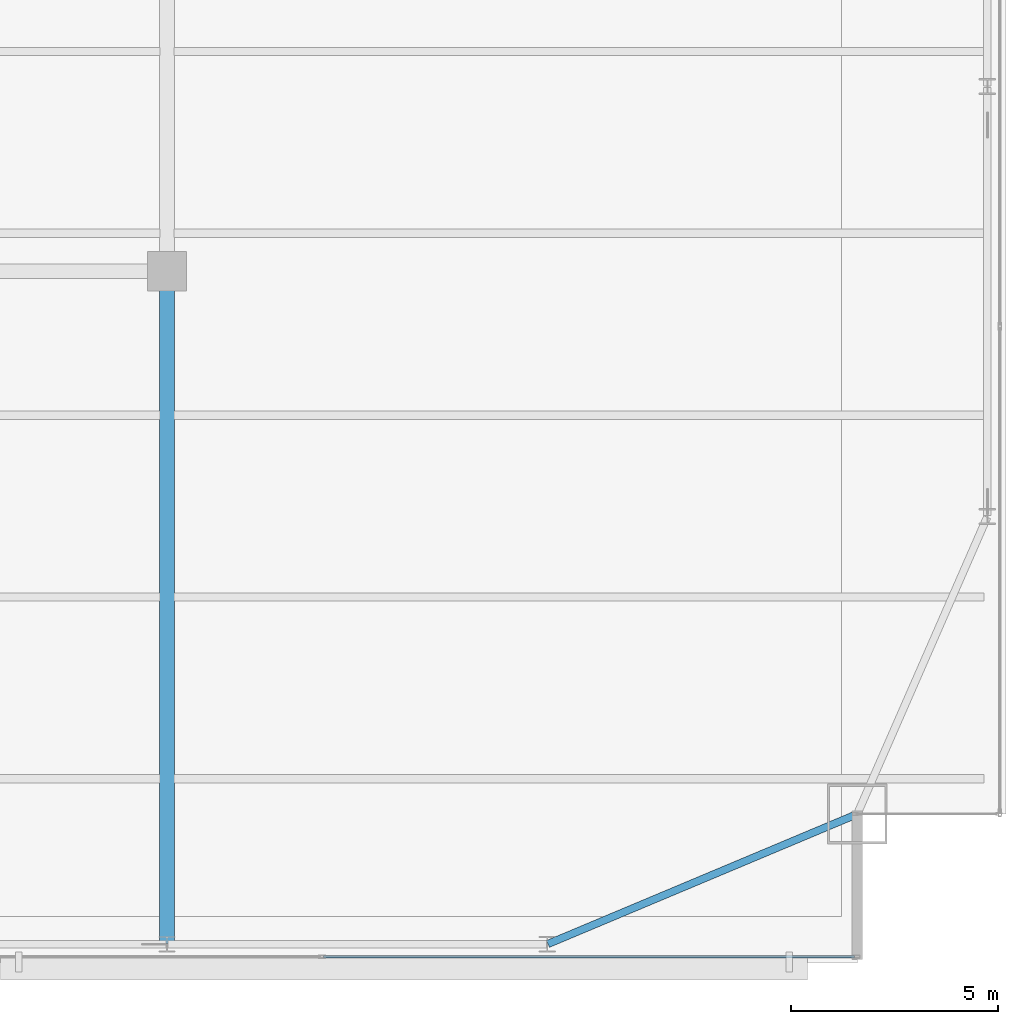
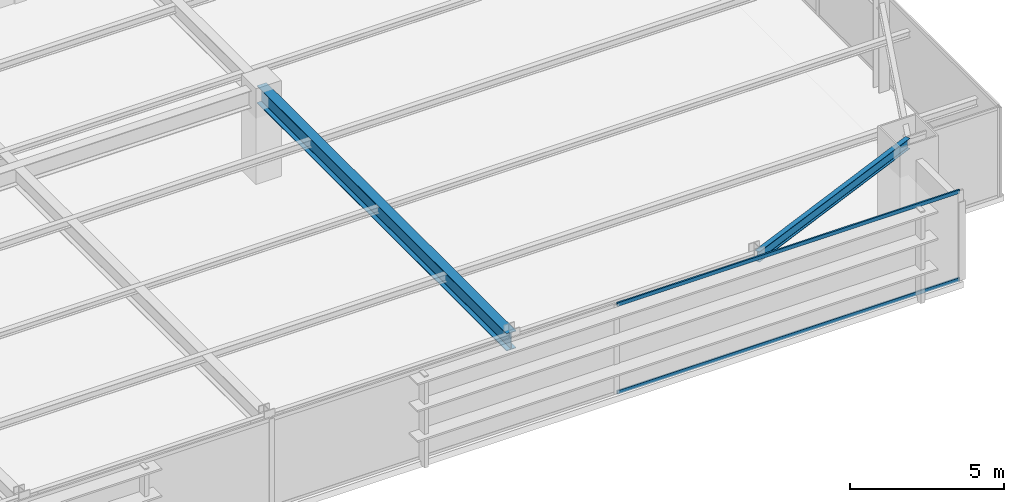
# One storey, part 13 of 32: 2 beams, 2 members, 1 element without a shape of its own.
"""IFC4 building model written with IfcOpenShell, lengths in metres."""

import ifcopenshell
import ifcopenshell.guid

model = None  # the IFC model being written
_history = None  # IfcOwnerHistory: only IFC2X3 demands one
_inside = {}  # id of a spatial element -> (the spatial element, [elements in it])
_under = {}  # id of a project, library or spatial element -> (it, [spatial elements below it])
_declared = {}  # id of a project -> (the project, [libraries it declares])
_typed = {}  # id of a type object -> (the type object, [elements of that type])
_made_of = {}  # id of a material, layer set ... -> (it, [elements and type objects made of it])


def new_model(schema):
    """Start an empty IFC model of exactly this schema.

    Asked for "IFC4X3", IfcOpenShell would pick the latest addendum, in which some entities
    have other attributes; the version numbers below select the first issue.
    IFC2X3 requires an IfcOwnerHistory on every rooted entity: one is made here for all.
    """
    global model, _history
    if schema == "IFC4X3":
        model = ifcopenshell.file(schema_version=(4, 3, 0, 0))
    else:
        model = ifcopenshell.file(schema=schema)
    _inside.clear()
    _under.clear()
    _declared.clear()
    _typed.clear()
    _made_of.clear()
    _history = None
    if model.schema == "IFC2X3":
        org = make("IfcOrganization", Name="unknown")
        user = make(
            "IfcPersonAndOrganization",
            ThePerson=make("IfcPerson", FamilyName="unknown"),
            TheOrganization=org,
        )
        app = make(
            "IfcApplication",
            ApplicationDeveloper=org,
            Version="unknown",
            ApplicationFullName="unknown",
            ApplicationIdentifier="unknown",
        )
        _history = make(
            "IfcOwnerHistory",
            OwningUser=user,
            OwningApplication=app,
            ChangeAction="ADDED",
            CreationDate=0,
        )
    return model


def make(cls, **values):
    """One entity of the class cls with the attributes given. An attribute that is None is left unset."""
    return model.create_entity(
        cls, **{name: value for name, value in values.items() if value is not None}
    )


def rooted(cls, **values):
    """An entity with a GlobalId (a new one), such as an element, a storey or a relation."""
    return make(cls, GlobalId=ifcopenshell.guid.new(), OwnerHistory=_history, **values)


def si_unit(unit_type, name, prefix=None):
    """IfcSIUnit, for example si_unit("LENGTHUNIT", "METRE", prefix="MILLI")."""
    return make("IfcSIUnit", UnitType=unit_type, Prefix=prefix, Name=name)


def assignment(units):
    """IfcUnitAssignment: the units of a project."""
    return None if units is None else make("IfcUnitAssignment", Units=units)


def point(xyz):
    """IfcCartesianPoint."""
    return None if xyz is None else make("IfcCartesianPoint", Coordinates=xyz)


def direction(xyz):
    """IfcDirection."""
    return None if xyz is None else make("IfcDirection", DirectionRatios=xyz)


def frame(location, z_axis=None, x_axis=None):
    """IfcAxis2Placement3D, a coordinate frame: its origin and axes. An axis left out is left unset."""
    return make(
        "IfcAxis2Placement3D",
        Location=point(location),
        Axis=direction(z_axis),
        RefDirection=direction(x_axis),
    )


def frame_2d(location, x_axis=None):
    """IfcAxis2Placement2D, a coordinate frame in the plane: its origin and x axis."""
    return make(
        "IfcAxis2Placement2D", Location=point(location), RefDirection=direction(x_axis)
    )


def origin():
    """The frame at (0, 0, 0) with its axes left unset."""
    return frame((0.0, 0.0, 0.0))


def origin_2d():
    """The frame at (0, 0) in the plane with its x axis left unset."""
    return frame_2d((0.0, 0.0))


def place(relative_to, where):
    """IfcLocalPlacement: puts the frame where relative to a parent placement (None: the world)."""
    return make(
        "IfcLocalPlacement", PlacementRelTo=relative_to, RelativePlacement=where
    )


def context(
    kind, dimensions, precision=None, world=None, true_north=None, identifier=None
):
    """IfcGeometricRepresentationContext, for example the 3D "Model" context."""
    return make(
        "IfcGeometricRepresentationContext",
        ContextIdentifier=identifier,
        ContextType=kind,
        CoordinateSpaceDimension=dimensions,
        Precision=precision,
        WorldCoordinateSystem=world,
        TrueNorth=true_north,
    )


def subcontext(parent, identifier, kind, view, scale=None):
    """IfcGeometricRepresentationSubContext, for example "Body" below "Model"."""
    return make(
        "IfcGeometricRepresentationSubContext",
        ContextIdentifier=identifier,
        ContextType=kind,
        ParentContext=parent,
        TargetScale=scale,
        TargetView=view,
    )


def project(units=None, contexts=None):
    """IfcProject with its units and contexts."""
    return rooted(
        "IfcProject",
        Name="project",
        RepresentationContexts=contexts,
        UnitsInContext=assignment(units),
    )


def spatial(cls, under=None, at=None, **own):
    """A site, building, storey or space (cls), placed at a placement, below another one or the project."""
    s = rooted(cls, ObjectPlacement=at, **own)
    if under is not None:
        _under.setdefault(under.id(), (under, []))[1].append(s)
    return s


def profile(cls, at=None, kind="AREA", **sizes):
    """A parametric profile (cls). Its sizes go by their IFC names, for example OverallWidth=200.0."""
    return make(cls, ProfileType=kind, Position=at, **sizes)


def hollow_rectangle(**sizes):
    """IfcRectangleHollowProfileDef."""
    return profile("IfcRectangleHollowProfileDef", **sizes)


def i_section(**sizes):
    """IfcIShapeProfileDef."""
    return profile("IfcIShapeProfileDef", **sizes)


def extrude(swept, where, along, depth):
    """IfcExtrudedAreaSolid: the profile swept, set in the frame where, extruded along a direction by depth."""
    return make(
        "IfcExtrudedAreaSolid",
        SweptArea=swept,
        Position=where,
        ExtrudedDirection=direction(along),
        Depth=depth,
    )


def shape(context_of_items, identifier, shape_type, items):
    """IfcShapeRepresentation: the items that make up one representation, for example the "Body"."""
    return make(
        "IfcShapeRepresentation",
        ContextOfItems=context_of_items,
        RepresentationIdentifier=identifier,
        RepresentationType=shape_type,
        Items=items,
    )


def source(mapping_origin, context_of_items, identifier, shape_type, items):
    """IfcRepresentationMap: a shape defined once, which mapped items show again and again."""
    return make(
        "IfcRepresentationMap",
        MappingOrigin=mapping_origin,
        MappedRepresentation=shape(context_of_items, identifier, shape_type, items),
    )


def transform(
    local_origin,
    x_axis=None,
    y_axis=None,
    z_axis=None,
    scale=None,
    scale2=None,
    scale3=None,
    uniform=True,
):
    """IfcCartesianTransformationOperator3D, or its non-uniform kind. x_axis, y_axis, z_axis: its Axis1, 2, 3."""
    if uniform:
        return make(
            "IfcCartesianTransformationOperator3D",
            Axis1=direction(x_axis),
            Axis2=direction(y_axis),
            LocalOrigin=point(local_origin),
            Scale=scale,
            Axis3=direction(z_axis),
        )
    return make(
        "IfcCartesianTransformationOperator3DnonUniform",
        Axis1=direction(x_axis),
        Axis2=direction(y_axis),
        LocalOrigin=point(local_origin),
        Scale=scale,
        Axis3=direction(z_axis),
        Scale2=scale2,
        Scale3=scale3,
    )


def mapped(mapping_source, mapping_target):
    """IfcMappedItem: shows the shape of a source again, moved by a transform."""
    return make(
        "IfcMappedItem", MappingSource=mapping_source, MappingTarget=mapping_target
    )


def material(Name=None, Category=None):
    """IfcMaterial."""
    return make("IfcMaterial", Name=Name, Category=Category)


def layer(
    of_material, thickness, ventilated=None, Name=None, Category=None, Priority=None
):
    """IfcMaterialLayer: one layer of a wall or slab, of a material (None: an air gap)."""
    return make(
        "IfcMaterialLayer",
        Material=of_material,
        LayerThickness=thickness,
        IsVentilated=ventilated,
        Name=Name,
        Category=Category,
        Priority=Priority,
    )


def layer_set(layers, Name=None):
    """IfcMaterialLayerSet."""
    return make("IfcMaterialLayerSet", MaterialLayers=layers, LayerSetName=Name)


def material_profile(
    of_material, cross_section, Name=None, Category=None, Priority=None
):
    """IfcMaterialProfile: a cross section and its material."""
    return make(
        "IfcMaterialProfile",
        Name=Name,
        Material=of_material,
        Profile=cross_section,
        Priority=Priority,
        Category=Category,
    )


def profile_set(profiles, Name=None, composite=None):
    """IfcMaterialProfileSet."""
    return make(
        "IfcMaterialProfileSet",
        Name=Name,
        MaterialProfiles=profiles,
        CompositeProfile=composite,
    )


def made_of(thing, what):
    """Note that an element or type object is made of a material, layer set ...; save() writes the relation."""
    if what is not None:
        _made_of.setdefault(what.id(), (what, []))[1].append(thing)
    return thing


def type_object(cls, material=None, **own):
    """A type object (cls), such as IfcWallType, which elements share."""
    return made_of(rooted(cls, **own), material)


def type_shapes(of_type, sources):
    """Give a type object the sources (RepresentationMaps) that its elements show as mapped items."""
    of_type.RepresentationMaps = sources


def element(
    cls,
    number,
    at=None,
    inside=None,
    cuts=None,
    type_object=None,
    material=None,
    context=None,
    identifier="Body",
    shape_type=None,
    held_by="IfcProductDefinitionShape",
    body=None,
    shapes=None,
    **own,
):
    """One element of the class cls, such as IfcWall. Its Tag is "e" and its number.

    at: its placement. inside: the storey or other place that contains it. cuts: it is an
    opening in that element (IfcRelVoidsElement). A single representation is given by context,
    identifier, shape_type and body (its items); several are given by shapes. held_by: the class
    of the entity that holds the representations. save() writes the other relations.
    """
    e = rooted(cls, Tag="e%d" % number, ObjectPlacement=at, **own)
    if body is not None:
        shapes = [shape(context, identifier, shape_type, body)]
    if shapes is not None:
        e.Representation = make(held_by, Representations=shapes)
    if inside is not None:
        _inside.setdefault(inside.id(), (inside, []))[1].append(e)
    if cuts is not None:
        rooted(
            "IfcRelVoidsElement", RelatingBuildingElement=cuts, RelatedOpeningElement=e
        )
    if type_object is not None:
        _typed.setdefault(type_object.id(), (type_object, []))[1].append(e)
    return made_of(e, material)


def aggregate(whole, parts):
    """IfcRelAggregates: a whole, such as a stair, and the parts it consists of."""
    return rooted("IfcRelAggregates", RelatingObject=whole, RelatedObjects=parts)


def save(model, path):
    """Write the relations noted so far, then the file.

    IfcRelAggregates (storeys below a building ...), IfcRelContainedInSpatialStructure (elements
    in a storey), IfcRelDefinesByType, IfcRelAssociatesMaterial and IfcRelDeclares: one each for
    every whole, place, type object, material and project.
    """
    for whole, parts in _under.values():
        aggregate(whole, parts)
    for where, things in _inside.values():
        rooted(
            "IfcRelContainedInSpatialStructure",
            RelatedElements=things,
            RelatingStructure=where,
        )
    for kind, things in _typed.values():
        rooted("IfcRelDefinesByType", RelatedObjects=things, RelatingType=kind)
    for what, things in _made_of.values():
        rooted("IfcRelAssociatesMaterial", RelatedObjects=things, RelatingMaterial=what)
    for by, libraries in _declared.values():
        rooted("IfcRelDeclares", RelatingContext=by, RelatedDefinitions=libraries)
    model.write(path)


model = new_model("IFC4")

# Units and contexts
model_context = context("Model", 3, precision=1e-05, world=origin(), true_north=direction((0.0, 1.0)))
body_context = subcontext(model_context, "Body", "Model", "MODEL_VIEW")
ifc_project = project(units=[si_unit("LENGTHUNIT", "METRE"), si_unit("AREAUNIT", "SQUARE_METRE"), si_unit("VOLUMEUNIT", "CUBIC_METRE"), si_unit("PLANEANGLEUNIT", "RADIAN"), si_unit("MASSUNIT", "GRAM", prefix="KILO")], contexts=[model_context])

# Site, building, storey
site_placement = place(None, origin())
site = spatial("IfcSite", under=ifc_project, at=site_placement, CompositionType="ELEMENT")
building_placement = place(site_placement, origin())
building = spatial("IfcBuilding", under=site, at=building_placement, Name="Varnel Quay Broadcast Tower", CompositionType="ELEMENT")
storey_placement = place(building_placement, frame((0.0, 0.0, 90.800048828125)))
storey = spatial("IfcBuildingStorey", under=building, at=storey_placement, Name="L21", CompositionType="ELEMENT", Elevation=90.800048828125)

# Beams
ifc_material_1 = material(Name="Structural Steel CSA G40.21 350W", Category="steel")
ifc_material_profile_1 = material_profile(ifc_material_1, i_section(OverallWidth=0.180908203125, OverallDepth=0.4169921875, WebThickness=0.010986328125, FlangeThickness=0.018310546875, FilletRadius=0.011962890625, at=origin_2d()), Name="W410X85")
ifc_profile_set_1 = profile_set([ifc_material_profile_1], Name="Structural Steel CSA G40.21 350W")
beam_type_1 = type_object("IfcBeamType", Name="Beam_W410X85", PredefinedType="SPANDREL", material=ifc_profile_set_1)
shared_shape_1 = source(origin(), body_context, "Body", "SweptSolid", [
    extrude(i_section(OverallWidth=0.180908203125, OverallDepth=0.4169921875, WebThickness=0.010986328125, FlangeThickness=0.018310546875, FilletRadius=0.011962890625, at=origin_2d()), origin(), (0.0, 0.0, 1.0), 8.0947265625),
])
type_shapes(beam_type_1, [shared_shape_1])
beam_1_placement = place(storey_placement, frame((52.41845703125, 4.65771484375, 3.341552734375), z_axis=(0.921981890247, 0.387232997117, 0.0), x_axis=(-0.387232997117, 0.921981890247, 0.0)))
element("IfcBeam", 1, at=beam_1_placement, inside=storey, type_object=beam_type_1, Name="L21 South Spandrel TC-S5-MC-SE", PredefinedType="SPANDREL", context=body_context, shape_type="MappedRepresentation", body=[
    mapped(shared_shape_1, transform((0.0, 0.0, 0.0), x_axis=(1.0, 0.0, 0.0), y_axis=(0.0, 1.0, 0.0), z_axis=(0.0, 0.0, 1.0), scale=1.0)),
])
ifc_material_profile_2 = material_profile(ifc_material_1, i_section(OverallWidth=0.35498046875, OverallDepth=0.695068359375, WebThickness=0.015380859375, FlangeThickness=0.02490234375, FilletRadius=0.01806640625, at=origin_2d()), Name="W690X217")
ifc_profile_set_2 = profile_set([ifc_material_profile_2], Name="Structural Steel CSA G40.21 350W")
beam_type_2 = type_object("IfcBeamType", Name="Girder_W690X217", PredefinedType="BEAM", material=ifc_profile_set_2)
shared_shape_2 = source(origin(), body_context, "Body", "SweptSolid", [
    extrude(i_section(OverallWidth=0.35498046875, OverallDepth=0.695068359375, WebThickness=0.015380859375, FlangeThickness=0.02490234375, FilletRadius=0.01806640625, at=origin_2d()), origin(), (0.0, 0.0, 1.0), 16.239990234375),
])
type_shapes(beam_type_2, [shared_shape_2])
beam_2_placement = place(storey_placement, frame((43.199951171875, 4.669921875, 3.202392578125), z_axis=(0.0, 1.0, 0.0), x_axis=(-1.0, 0.0, 0.0)))
element("IfcBeam", 2, at=beam_2_placement, inside=storey, type_object=beam_type_2, Name="L21 Primary Girder TC-S4-IC-02", PredefinedType="BEAM", context=body_context, shape_type="MappedRepresentation", body=[
    mapped(shared_shape_2, transform((0.0, 0.0, 0.0), x_axis=(1.0, 0.0, 0.0), y_axis=(0.0, 1.0, 0.0), z_axis=(0.0, 0.0, 1.0), scale=1.0)),
])

# Curtain wall, members
ifc_material_2 = material(Name="Anodised Bronze Aluminium 6063-T6", Category="aluminium")
ifc_layer = layer(ifc_material_2, 0.18994140625, Name="Anodised Bronze Aluminium 6063-T6")
ifc_layer_set = layer_set([ifc_layer], Name="Anodised Bronze Aluminium 6063-T6")
curtain_wall_type = type_object("IfcCurtainWallType", Name="CW_LowerTower", PredefinedType="NOTDEFINED", material=ifc_layer_set)
curtain_wall_placement = place(storey_placement, origin())
curtain_wall = element("IfcCurtainWall", 3, at=curtain_wall_placement, inside=storey, type_object=curtain_wall_type, Name="L21 South Unitised Curtain Wall 1", PredefinedType="NOTDEFINED")
ifc_material_profile_3 = material_profile(ifc_material_2, hollow_rectangle(XDim=0.06005859375, YDim=0.14501953125, WallThickness=0.00341796875, at=origin_2d()), Name="ALU60X145X3.5")
ifc_profile_set_3 = profile_set([ifc_material_profile_3], Name="Anodised Bronze Aluminium 6063-T6")
member_type = type_object("IfcMemberType", Name="Tran_CWS-02", PredefinedType="USERDEFINED", material=ifc_profile_set_3)
shared_shape_3 = source(origin(), body_context, "Body", "SweptSolid", [
    extrude(hollow_rectangle(XDim=0.06005859375, YDim=0.14501953125, WallThickness=0.00341796875, at=origin_2d()), origin(), (0.0, 0.0, 1.0), 12.844970703125),
])
type_shapes(member_type, [shared_shape_3])
member_1_placement = place(storey_placement, frame((46.985107421875, 4.35009765625, 0.030029296875), z_axis=(1.0, 0.0, 0.0), x_axis=(0.0, 1.0, 0.0)))
member_1 = element("IfcMember", 4, at=member_1_placement, type_object=member_type, Name="CWS-02 transom 4.1", ObjectType="TRANSOM", PredefinedType="USERDEFINED", context=body_context, shape_type="MappedRepresentation", body=[
    mapped(shared_shape_3, transform((0.0, 0.0, 0.0), x_axis=(1.0, 0.0, 0.0), y_axis=(0.0, 1.0, 0.0), z_axis=(0.0, 0.0, 1.0), scale=1.0)),
])
member_2_placement = place(storey_placement, frame((46.985107421875, 4.35009765625, 3.52001953125), z_axis=(1.0, 0.0, 0.0), x_axis=(0.0, 1.0, 0.0)))
member_2 = element("IfcMember", 5, at=member_2_placement, type_object=member_type, Name="CWS-02 transom 4.2", ObjectType="TRANSOM", PredefinedType="USERDEFINED", context=body_context, shape_type="MappedRepresentation", body=[
    mapped(shared_shape_3, transform((0.0, 0.0, 0.0), x_axis=(1.0, 0.0, 0.0), y_axis=(0.0, 1.0, 0.0), z_axis=(0.0, 0.0, 1.0), scale=1.0)),
])
aggregate(curtain_wall, [member_1, member_2])

save(model, "model.ifc")
